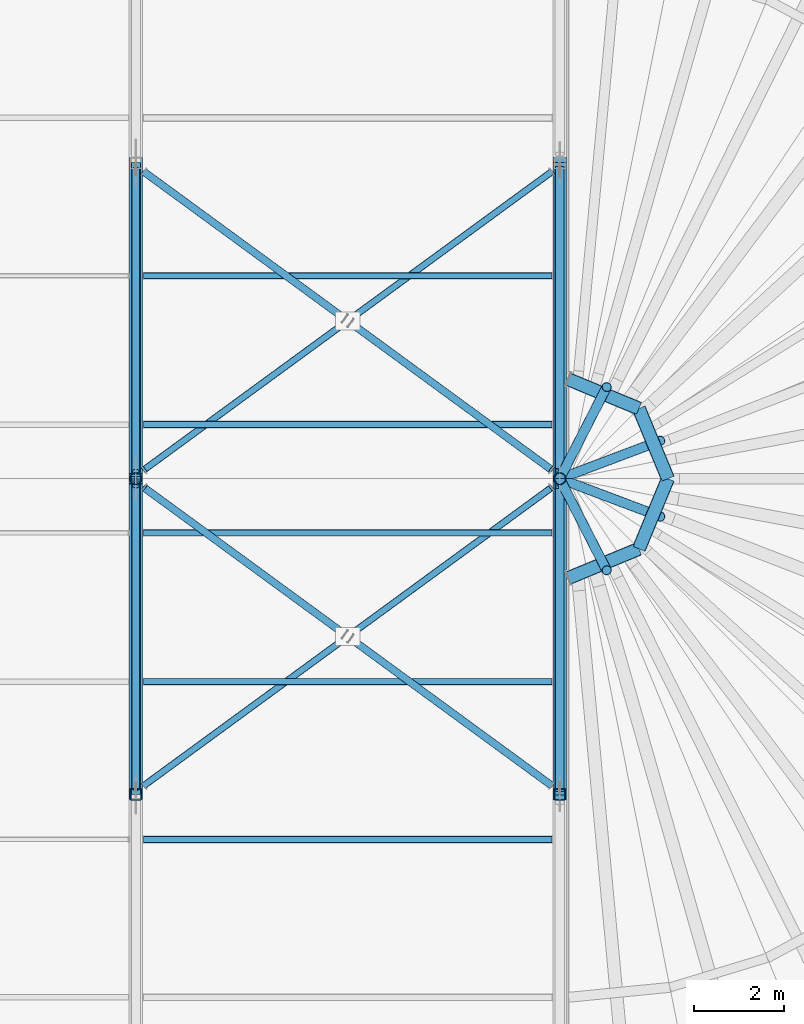
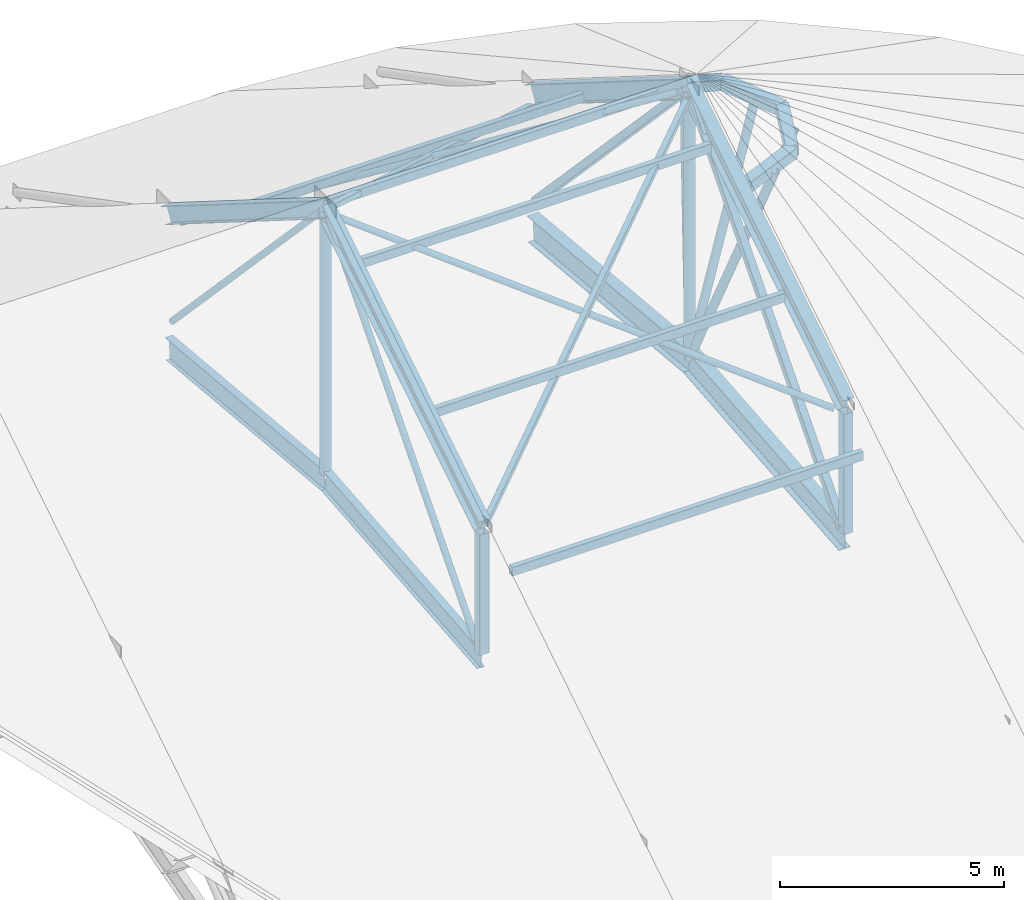
# One storey, part 16 of 66: 31 members, 4 beams.
"""IFC4 building model written with IfcOpenShell, lengths in metres."""

from ifc_helpers import new_model, si_unit, direction, frame, origin, origin_2d, place, context, subcontext, project, spatial, hollow_rectangle, hollow_circle, i_section, extrude, material, material_profile, profile_set, type_object, element, save


model = new_model("IFC4")

# Units and contexts
model_context = context("Model", 3, precision=1e-05, world=origin(), true_north=direction((0.0, 1.0)))
body_context = subcontext(model_context, "Body", "Model", "MODEL_VIEW")
ifc_project = project(units=[si_unit("LENGTHUNIT", "METRE"), si_unit("AREAUNIT", "SQUARE_METRE"), si_unit("VOLUMEUNIT", "CUBIC_METRE"), si_unit("PLANEANGLEUNIT", "RADIAN"), si_unit("MASSUNIT", "GRAM", prefix="KILO")], contexts=[model_context])

# Site, building, storey
site_placement = place(None, origin())
site = spatial("IfcSite", under=ifc_project, at=site_placement, CompositionType="ELEMENT")
building_placement = place(site_placement, origin())
building = spatial("IfcBuilding", under=site, at=building_placement, Name="Yeouljin Market Hall", CompositionType="ELEMENT")
storey_placement = place(building_placement, frame((0.0, 0.0, 23.39990234375)))
storey = spatial("IfcBuildingStorey", under=building, at=storey_placement, Name="RF", CompositionType="ELEMENT", Elevation=23.39990234375)

# Beams
ifc_material_1 = material(Name="Steel SM355", Category="steel")
ifc_material_profile_1 = material_profile(ifc_material_1, i_section(OverallWidth=0.199951171875, OverallDepth=0.60009765625, WebThickness=0.010986328125, FlangeThickness=0.01708984375, FilletRadius=0.02197265625, at=origin_2d()), Name="H-600x200x11x17")
ifc_profile_set_1 = profile_set([ifc_material_profile_1], Name="Steel SM355")
beam_type_1 = type_object("IfcBeamType", Name="Beam_H-600x200x11x17", PredefinedType="BEAM", material=ifc_profile_set_1)
for number, where, z_axis, x_axis, name in (
    (1, (131.39990234375, 50.02001953125, -7.144287109375), (0.0, 0.995742692808, 0.092176405441), (-1.0, 0.0, 0.0), "Truss AT-11 arch rib 3"),
    (2, (131.39990234375, 57.02001953125, -6.5), (0.0, 0.995742692808, -0.092176405441), (-1.0, 0.0, 0.0), "Truss AT-11 arch rib 4"),
):
    element("IfcBeam", number, at=place(storey_placement, frame(where, z_axis=z_axis, x_axis=x_axis)), inside=storey, type_object=beam_type_1, Name=name, PredefinedType="BEAM", context=body_context, shape_type="SweptSolid", body=[
        extrude(i_section(OverallWidth=0.199951171875, OverallDepth=0.60009765625, WebThickness=0.010986328125, FlangeThickness=0.01708984375, FilletRadius=0.02197265625, at=origin_2d()), origin(), (0.0, 0.0, 1.0), 6.98974609375),
    ])

# Members
ifc_material_2 = material(Name="Steel SS275", Category="steel")
ifc_material_profile_2 = material_profile(ifc_material_2, hollow_circle(Radius=0.08251953125, WallThickness=0.006103515625, at=origin_2d()), Name="CHS-165.2x6")
ifc_profile_set_2 = profile_set([ifc_material_profile_2], Name="Steel SS275")
member_type_1 = type_object("IfcMemberType", Name="Brace_CHS-165.2x6", PredefinedType="BRACE", material=ifc_profile_set_2)
member_1_placement = place(storey_placement, frame((131.39990234375, 50.144287109375, -6.978271484375), z_axis=(0.0, 0.656456540155, 0.754363845162), x_axis=(-1.0, 0.0, 0.0)))
element("IfcMember", 3, at=member_1_placement, inside=storey, type_object=member_type_1, Name="Truss AT-11 web diagonal 3", PredefinedType="BRACE", context=body_context, shape_type="SweptSolid", body=[
    extrude(hollow_circle(Radius=0.08251953125, WallThickness=0.006103515625, at=origin_2d()), origin(), (0.0, 0.0, 1.0), 10.2236328125),
])
member_2_placement = place(storey_placement, frame((131.39990234375, 57.151123046875, 0.740234375), z_axis=(0.0, 0.687208071692, -0.726460643257), x_axis=(-1.0, 0.0, 0.0)))
element("IfcMember", 4, at=member_2_placement, inside=storey, type_object=member_type_1, Name="Truss AT-11 web diagonal 4", PredefinedType="BRACE", context=body_context, shape_type="SweptSolid", body=[
    extrude(hollow_circle(Radius=0.08251953125, WallThickness=0.006103515625, at=origin_2d()), origin(), (0.0, 0.0, 1.0), 9.746337890625),
])
for number, where, z_axis, x_axis, name in (
    (5, (131.5859375, 56.800048828125, 0.72021484375), (0.751224298657, -0.549185956203, -0.366137731757), (0.590166738875, 0.807281376179, 0.0), "Roof wind brace 009B1"),
    (6, (136.17138671875, 53.44775390625, -1.5146484375), (0.751224298657, -0.549185956203, -0.366137731757), (0.590166738875, 0.807281376179, 0.0), "Roof wind brace 009B2"),
    (7, (131.5859375, 63.800048828125, -3.679931640625), (0.751224298657, -0.549185956203, 0.366137731757), (0.590166738875, 0.807281376179, 0.0), "Roof wind brace 010B1"),
    (8, (136.17138671875, 60.44775390625, -1.445068359375), (0.751224298657, -0.549185956203, 0.366137731757), (0.590166738875, 0.807281376179, 0.0), "Roof wind brace 010B2"),
):
    element("IfcMember", number, at=place(storey_placement, frame(where, z_axis=z_axis, x_axis=x_axis)), inside=storey, type_object=member_type_1, Name=name, PredefinedType="BRACE", context=body_context, shape_type="SweptSolid", body=[
        extrude(hollow_circle(Radius=0.08251953125, WallThickness=0.006103515625, at=origin_2d()), origin(), (0.0, 0.0, 1.0), 5.913818359375),
    ])
ifc_material_3 = material(Name="Steel SS275", Category="steel")
ifc_material_profile_3 = material_profile(ifc_material_3, hollow_rectangle(XDim=0.14990234375, YDim=0.14990234375, WallThickness=0.006103515625, InnerFilletRadius=0.006103515625, OuterFilletRadius=0.011962890625, at=origin_2d()), Name="SHS-150x150x6")
ifc_profile_set_3 = profile_set([ifc_material_profile_3], Name="Steel SS275")
member_type_2 = type_object("IfcMemberType", Name="Brace_SHS-150x150x6", PredefinedType="BRACE", material=ifc_profile_set_3)
for number, where, z_axis, x_axis, name in (
    (9, (131.5859375, 50.199951171875, -3.679931640625), (0.751222188762, 0.549191180156, 0.366134225048), (-0.590171477598, 0.807277911893, 0.0), "Roof wind brace 009A"),
    (10, (131.5859375, 57.199951171875, 0.72021484375), (0.751222188762, 0.549191180156, -0.366134225048), (-0.590171477598, 0.807277911893, 0.0), "Roof wind brace 010A"),
):
    element("IfcMember", number, at=place(storey_placement, frame(where, z_axis=z_axis, x_axis=x_axis)), inside=storey, type_object=member_type_2, Name=name, PredefinedType="BRACE", context=body_context, shape_type="SweptSolid", body=[
        extrude(hollow_rectangle(XDim=0.14990234375, YDim=0.14990234375, WallThickness=0.006103515625, InnerFilletRadius=0.006103515625, OuterFilletRadius=0.011962890625, at=origin_2d()), origin(), (0.0, 0.0, 1.0), 12.017822265625),
    ])
ifc_material_4 = material(Name="Steel SM355", Category="steel")
ifc_material_profile_4 = material_profile(ifc_material_4, hollow_rectangle(XDim=0.199951171875, YDim=0.199951171875, WallThickness=0.008056640625, InnerFilletRadius=0.008056640625, OuterFilletRadius=0.01611328125, at=origin_2d()), Name="SHS-200x200x8")
ifc_profile_set_4 = profile_set([ifc_material_profile_4], Name="Steel SM355")
member_type_3 = type_object("IfcMemberType", Name="Brace_SHS-200x200x8", PredefinedType="BRACE", material=ifc_profile_set_4)
member_3_placement = place(storey_placement, frame((140.800048828125, 50.144287109375, -6.978271484375), z_axis=(0.0, 0.656456540155, 0.754363845162), x_axis=(-1.0, 0.0, 0.0)))
element("IfcMember", 11, at=member_3_placement, inside=storey, type_object=member_type_3, Name="Truss AT-12 web diagonal 3", PredefinedType="BRACE", context=body_context, shape_type="SweptSolid", body=[
    extrude(hollow_rectangle(XDim=0.199951171875, YDim=0.199951171875, WallThickness=0.008056640625, InnerFilletRadius=0.008056640625, OuterFilletRadius=0.01611328125, at=origin_2d()), origin(), (0.0, 0.0, 1.0), 10.2236328125),
])
member_4_placement = place(storey_placement, frame((140.800048828125, 57.151123046875, 0.740234375), z_axis=(0.0, 0.687208071692, -0.726460643257), x_axis=(-1.0, 0.0, 0.0)))
element("IfcMember", 12, at=member_4_placement, inside=storey, type_object=member_type_3, Name="Truss AT-12 web diagonal 4", PredefinedType="BRACE", context=body_context, shape_type="SweptSolid", body=[
    extrude(hollow_rectangle(XDim=0.199951171875, YDim=0.199951171875, WallThickness=0.008056640625, InnerFilletRadius=0.008056640625, OuterFilletRadius=0.01611328125, at=origin_2d()), origin(), (0.0, 0.0, 1.0), 9.746337890625),
])
ifc_material_5 = material(Name="Steel SM355", Category="steel")
ifc_material_profile_5 = material_profile(ifc_material_5, i_section(OverallWidth=0.300048828125, OverallDepth=0.43994140625, WebThickness=0.010986328125, FlangeThickness=0.01806640625, FilletRadius=0.02001953125, at=origin_2d()), Name="H-440x300x11x18")
ifc_profile_set_5 = profile_set([ifc_material_profile_5], Name="Steel SM355")
member_type_4 = type_object("IfcMemberType", Name="Chord_H-440x300x11x18", PredefinedType="CHORD", material=ifc_profile_set_5)
for number, where, z_axis, x_axis, name in (
    (13, (131.39990234375, 50.0, -3.5), (0.0, 0.846628566691, 0.532184244471), (-1.0, 0.0, 0.0), "Truss AT-11 top chord 3"),
    (14, (131.39990234375, 57.0, 0.900146484375), (0.0, 0.846628566691, -0.532184244471), (-1.0, 0.0, 0.0), "Truss AT-11 top chord 4"),
):
    element("IfcMember", number, at=place(storey_placement, frame(where, z_axis=z_axis, x_axis=x_axis)), inside=storey, type_object=member_type_4, Name=name, PredefinedType="CHORD", context=body_context, shape_type="SweptSolid", body=[
        extrude(i_section(OverallWidth=0.300048828125, OverallDepth=0.43994140625, WebThickness=0.010986328125, FlangeThickness=0.01806640625, FilletRadius=0.02001953125, at=origin_2d()), origin(), (0.0, 0.0, 1.0), 8.26806640625),
    ])
ifc_material_6 = material(Name="Steel SM355", Category="steel")
ifc_material_profile_6 = material_profile(ifc_material_6, i_section(OverallWidth=0.300048828125, OverallDepth=0.488037109375, WebThickness=0.010986328125, FlangeThickness=0.01806640625, FilletRadius=0.02197265625, at=origin_2d()), Name="H-488x300x11x18")
ifc_profile_set_6 = profile_set([ifc_material_profile_6], Name="Steel SM355")
member_type_5 = type_object("IfcMemberType", Name="Chord_H-488x300x11x18", PredefinedType="CHORD", material=ifc_profile_set_6)
for number, where, z_axis, x_axis, name in (
    (15, (140.800048828125, 50.0, -3.5), (0.0, 0.846628566691, 0.532184244471), (-1.0, 0.0, 0.0), "Truss AT-12 top chord 3"),
    (16, (140.800048828125, 57.0, 0.900146484375), (0.0, 0.846628566691, -0.532184244471), (-1.0, 0.0, 0.0), "Truss AT-12 top chord 4"),
):
    element("IfcMember", number, at=place(storey_placement, frame(where, z_axis=z_axis, x_axis=x_axis)), inside=storey, type_object=member_type_5, Name=name, PredefinedType="CHORD", context=body_context, shape_type="SweptSolid", body=[
        extrude(i_section(OverallWidth=0.300048828125, OverallDepth=0.488037109375, WebThickness=0.010986328125, FlangeThickness=0.01806640625, FilletRadius=0.02197265625, at=origin_2d()), origin(), (0.0, 0.0, 1.0), 8.26806640625),
    ])
ifc_material_7 = material(Name="Steel SM355", Category="steel")
ifc_material_profile_7 = material_profile(ifc_material_7, hollow_rectangle(XDim=0.300048828125, YDim=0.300048828125, WallThickness=0.010009765625, InnerFilletRadius=0.010009765625, OuterFilletRadius=0.01611328125, at=origin_2d()), Name="SHS-300x300x10")
ifc_profile_set_7 = profile_set([ifc_material_profile_7], Name="Steel SM355")
member_type_6 = type_object("IfcMemberType", Name="Chord_SHS-300x300x10", PredefinedType="CHORD", material=ifc_profile_set_7)
for number, where, z_axis, x_axis, name in (
    (17, (141.0, 54.800048828125, -0.5), (0.923898438151, 0.382637786924, 0.0), (-0.382637786924, 0.923898438151, 0.0), "Apse compression ring segment east 1"),
    (18, (142.5556640625, 55.4443359375, -0.5), (0.382637786924, 0.923898438151, 0.0), (-0.923898438151, 0.382637786924, 0.0), "Apse compression ring segment east 2"),
    (19, (143.199951171875, 57.0, -0.5), (-0.382637786924, 0.923898438151, 0.0), (-0.923898438151, -0.382637786924, 0.0), "Apse compression ring segment east 3"),
    (20, (142.5556640625, 58.5556640625, -0.5), (-0.923898438151, 0.382637786924, 0.0), (-0.382637786924, -0.923898438151, 0.0), "Apse compression ring segment east 4"),
):
    element("IfcMember", number, at=place(storey_placement, frame(where, z_axis=z_axis, x_axis=x_axis)), inside=storey, type_object=member_type_6, Name=name, PredefinedType="CHORD", context=body_context, shape_type="SweptSolid", body=[
        extrude(hollow_rectangle(XDim=0.300048828125, YDim=0.300048828125, WallThickness=0.010009765625, InnerFilletRadius=0.010009765625, OuterFilletRadius=0.01611328125, at=origin_2d()), origin(), (0.0, 0.0, 1.0), 1.683837890625),
    ])

# Beams
ifc_material_8 = material(Name="Steel SM355", Category="steel")
ifc_material_profile_8 = material_profile(ifc_material_8, i_section(OverallWidth=0.300048828125, OverallDepth=0.699951171875, WebThickness=0.012939453125, FlangeThickness=0.02392578125, FilletRadius=0.02587890625, at=origin_2d()), Name="H-700x300x13x24")
ifc_profile_set_8 = profile_set([ifc_material_profile_8], Name="Steel SM355")
beam_type_2 = type_object("IfcBeamType", Name="Girder_H-700x300x13x24", PredefinedType="USERDEFINED", material=ifc_profile_set_8)
for number, where, z_axis, x_axis, name in (
    (21, (140.800048828125, 50.02001953125, -7.144287109375), (0.0, 0.995742692808, 0.092176405441), (-1.0, 0.0, 0.0), "Truss AT-12 arch rib 3"),
    (22, (140.800048828125, 57.02001953125, -6.5), (0.0, 0.995742692808, -0.092176405441), (-1.0, 0.0, 0.0), "Truss AT-12 arch rib 4"),
):
    element("IfcBeam", number, at=place(storey_placement, frame(where, z_axis=z_axis, x_axis=x_axis)), inside=storey, type_object=beam_type_2, Name=name, ObjectType="GIRDER", PredefinedType="USERDEFINED", context=body_context, shape_type="SweptSolid", body=[
        extrude(i_section(OverallWidth=0.300048828125, OverallDepth=0.699951171875, WebThickness=0.012939453125, FlangeThickness=0.02392578125, FilletRadius=0.02587890625, at=origin_2d()), origin(), (0.0, 0.0, 1.0), 6.98974609375),
    ])

# Members
ifc_material_9 = material(Name="Steel SM355", Category="steel")
ifc_material_profile_9 = material_profile(ifc_material_9, hollow_rectangle(XDim=0.14990234375, YDim=0.25, WallThickness=0.008056640625, InnerFilletRadius=0.008056640625, OuterFilletRadius=0.01611328125, at=origin_2d()), Name="RHS-250x150x8")
ifc_profile_set_9 = profile_set([ifc_material_profile_9], Name="Steel SM355")
member_type_7 = type_object("IfcMemberType", Name="Purlin_RHS-250x150x8", PredefinedType="PURLIN", material=ifc_profile_set_9)
for number, where, z_axis, x_axis, name in (
    (23, (131.56591796875, 49.0, -4.20849609375), (1.0, 0.0, 0.0), (0.0, 1.0, 0.0), "Nave roof purlin 124"),
    (24, (131.56591796875, 52.5, -2.008544921875), (1.0, 0.0, 0.0), (0.0, 1.0, 0.0), "Nave roof purlin 125"),
    (25, (131.56591796875, 55.800048828125, 0.06591796875), (1.0, 0.0, 0.0), (0.0, 1.0, 0.0), "Nave roof purlin 126"),
    (26, (131.56591796875, 58.199951171875, 0.06591796875), (1.0, 0.0, 0.0), (0.0, 1.0, 0.0), "Nave roof purlin 127"),
    (27, (131.56591796875, 61.5, -2.008544921875), (1.0, 0.0, 0.0), (0.0, 1.0, 0.0), "Nave roof purlin 128"),
):
    element("IfcMember", number, at=place(storey_placement, frame(where, z_axis=z_axis, x_axis=x_axis)), inside=storey, type_object=member_type_7, Name=name, PredefinedType="PURLIN", context=body_context, shape_type="SweptSolid", body=[
        extrude(hollow_rectangle(XDim=0.14990234375, YDim=0.25, WallThickness=0.008056640625, InnerFilletRadius=0.008056640625, OuterFilletRadius=0.01611328125, at=origin_2d()), origin(), (0.0, 0.0, 1.0), 9.068115234375),
    ])
ifc_material_10 = material(Name="Steel SM355", Category="steel")
ifc_material_profile_10 = material_profile(ifc_material_10, hollow_circle(Radius=0.108154296875, WallThickness=0.008056640625, at=origin_2d()), Name="CHS-216.3x8")
ifc_profile_set_10 = profile_set([ifc_material_profile_10], Name="Steel SM355")
member_type_8 = type_object("IfcMemberType", Name="Strut_CHS-216.3x8", PredefinedType="STRUT", material=ifc_profile_set_10)
member_5_placement = place(storey_placement, frame((140.800048828125, 57.0, -6.5), z_axis=(0.162266491553, -0.316585081364, 0.93458197713), x_axis=(0.889914267404, 0.456127829311, 0.0)))
element("IfcMember", 28, at=member_5_placement, inside=storey, type_object=member_type_8, Name="Apse crown support strut east 1", PredefinedType="STRUT", context=body_context, shape_type="SweptSolid", body=[
    extrude(hollow_circle(Radius=0.108154296875, WallThickness=0.008056640625, at=origin_2d()), origin(), (0.0, 0.0, 1.0), 6.419921875),
])
for number, where, z_axis, x_axis, name in (
    (29, (140.800048828125, 57.0, -6.5), (0.345738854856, -0.130370469329, 0.929229888117), (0.352827394113, 0.935688425686, 0.0), "Apse crown support strut east 2"),
    (30, (140.800048828125, 57.0, -6.5), (0.345738854856, 0.130370469329, 0.929229888117), (-0.352827394113, 0.935688425686, 0.0), "Apse crown support strut east 3"),
):
    element("IfcMember", number, at=place(storey_placement, frame(where, z_axis=z_axis, x_axis=x_axis)), inside=storey, type_object=member_type_8, Name=name, PredefinedType="STRUT", context=body_context, shape_type="SweptSolid", body=[
        extrude(hollow_circle(Radius=0.108154296875, WallThickness=0.008056640625, at=origin_2d()), origin(), (0.0, 0.0, 1.0), 6.45703125),
    ])
member_6_placement = place(storey_placement, frame((140.800048828125, 57.0, -6.5), z_axis=(0.162266491553, 0.316585081364, 0.93458197713), x_axis=(-0.889914267404, 0.456127829311, 0.0)))
element("IfcMember", 31, at=member_6_placement, inside=storey, type_object=member_type_8, Name="Apse crown support strut east 4", PredefinedType="STRUT", context=body_context, shape_type="SweptSolid", body=[
    extrude(hollow_circle(Radius=0.108154296875, WallThickness=0.008056640625, at=origin_2d()), origin(), (0.0, 0.0, 1.0), 6.419921875),
])
ifc_material_11 = material(Name="Steel SM355", Category="steel")
ifc_material_profile_11 = material_profile(ifc_material_11, hollow_circle(Radius=0.1337890625, WallThickness=0.009033203125, at=origin_2d()), Name="CHS-267.4x9")
ifc_profile_set_11 = profile_set([ifc_material_profile_11], Name="Steel SM355")
member_type_9 = type_object("IfcMemberType", Name="Strut_CHS-267.4x9", PredefinedType="STRUT", material=ifc_profile_set_11)
for number, where, z_axis, x_axis, name in (
    (32, (131.39990234375, 57.0, -6.31982421875), (0.0, 0.0, 1.0), (1.0, 0.0, 0.0), "Truss AT-11 vertical strut 3"),
    (33, (140.800048828125, 57.0, -6.31982421875), (0.0, 0.0, 1.0), (1.0, 0.0, 0.0), "Truss AT-12 vertical strut 3"),
):
    element("IfcMember", number, at=place(storey_placement, frame(where, z_axis=z_axis, x_axis=x_axis)), inside=storey, type_object=member_type_9, Name=name, PredefinedType="STRUT", context=body_context, shape_type="SweptSolid", body=[
        extrude(hollow_circle(Radius=0.1337890625, WallThickness=0.009033203125, at=origin_2d()), origin(), (0.0, 0.0, 1.0), 7.0400390625),
    ])
ifc_material_12 = material(Name="Steel SM355", Category="steel")
ifc_material_profile_12 = material_profile(ifc_material_12, hollow_rectangle(XDim=0.25, YDim=0.25, WallThickness=0.009033203125, InnerFilletRadius=0.009033203125, OuterFilletRadius=0.01611328125, at=origin_2d()), Name="SHS-250x250x9")
ifc_profile_set_12 = profile_set([ifc_material_profile_12], Name="Steel SM355")
member_type_10 = type_object("IfcMemberType", Name="Strut_SHS-250x250x9", PredefinedType="STRUT", material=ifc_profile_set_12)
for number, where, z_axis, x_axis, name in (
    (34, (131.39990234375, 50.0, -6.96435546875), (0.0, 0.0, 1.0), (1.0, 0.0, 0.0), "Truss AT-11 vertical strut 2"),
    (35, (140.800048828125, 50.0, -6.96435546875), (0.0, 0.0, 1.0), (1.0, 0.0, 0.0), "Truss AT-12 vertical strut 2"),
):
    element("IfcMember", number, at=place(storey_placement, frame(where, z_axis=z_axis, x_axis=x_axis)), inside=storey, type_object=member_type_10, Name=name, PredefinedType="STRUT", context=body_context, shape_type="SweptSolid", body=[
        extrude(hollow_rectangle(XDim=0.25, YDim=0.25, WallThickness=0.009033203125, InnerFilletRadius=0.009033203125, OuterFilletRadius=0.01611328125, at=origin_2d()), origin(), (0.0, 0.0, 1.0), 3.284423828125),
    ])

save(model, "model.ifc")
